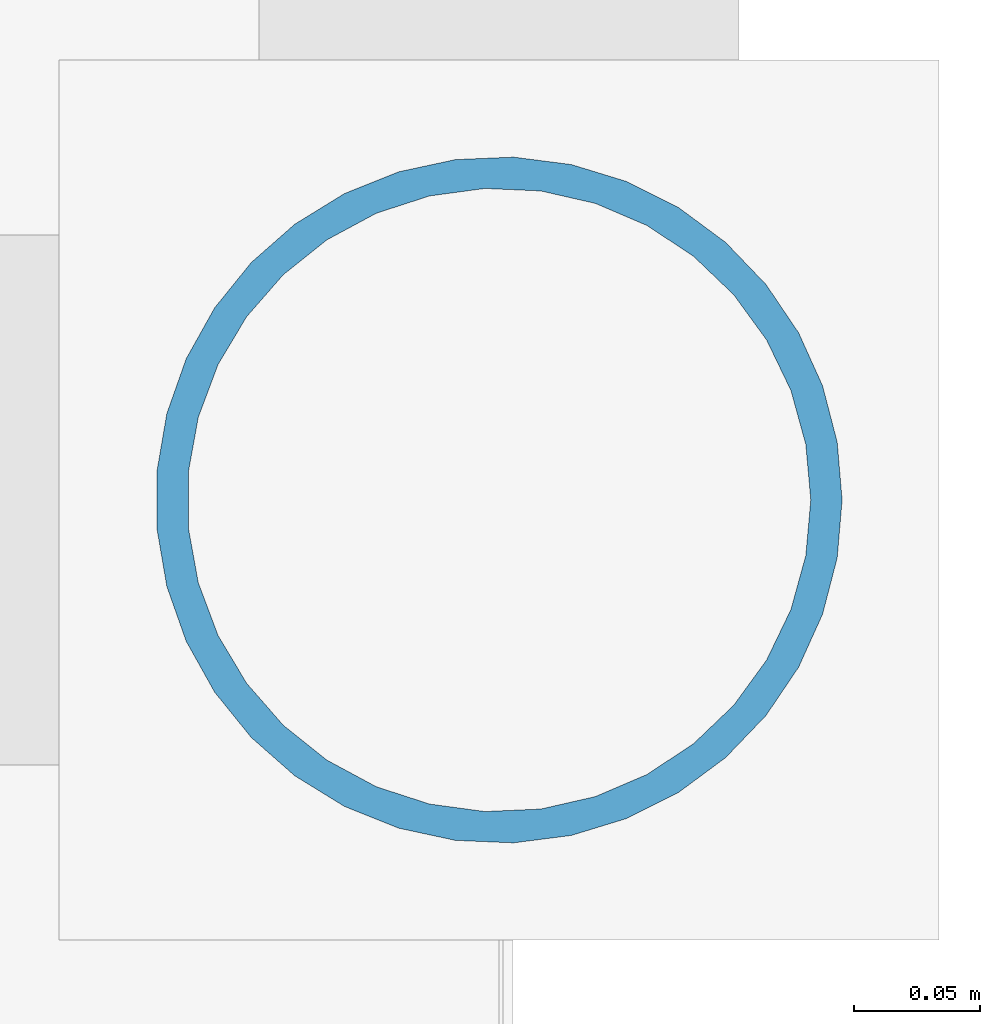
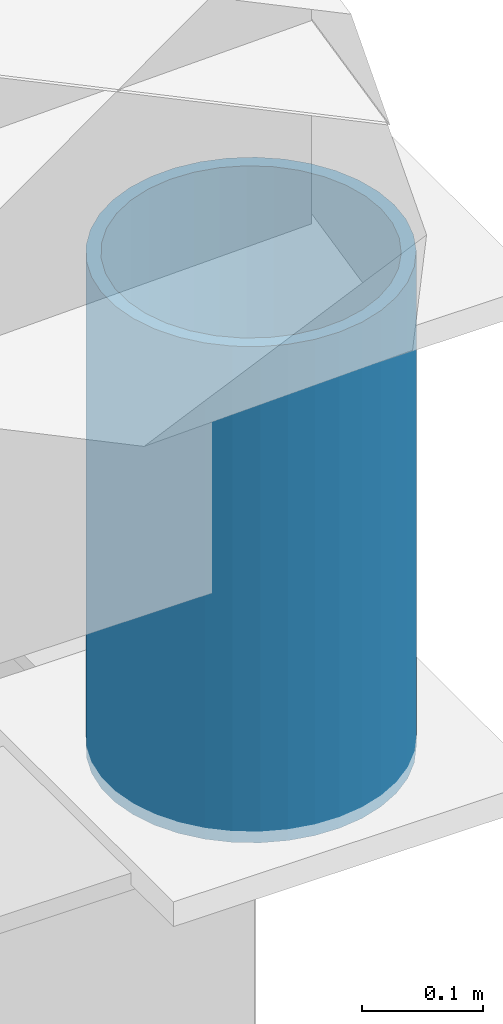
# One storey, part 6 of 50: 1 column.
"""IFC4 building model written with IfcOpenShell, lengths in metres."""

import ifcopenshell
import ifcopenshell.guid

model = None  # the IFC model being written
_history = None  # IfcOwnerHistory: only IFC2X3 demands one
_inside = {}  # id of a spatial element -> (the spatial element, [elements in it])
_under = {}  # id of a project, library or spatial element -> (it, [spatial elements below it])
_declared = {}  # id of a project -> (the project, [libraries it declares])
_typed = {}  # id of a type object -> (the type object, [elements of that type])
_made_of = {}  # id of a material, layer set ... -> (it, [elements and type objects made of it])


def new_model(schema):
    """Start an empty IFC model of exactly this schema.

    Asked for "IFC4X3", IfcOpenShell would pick the latest addendum, in which some entities
    have other attributes; the version numbers below select the first issue.
    IFC2X3 requires an IfcOwnerHistory on every rooted entity: one is made here for all.
    """
    global model, _history
    if schema == "IFC4X3":
        model = ifcopenshell.file(schema_version=(4, 3, 0, 0))
    else:
        model = ifcopenshell.file(schema=schema)
    _inside.clear()
    _under.clear()
    _declared.clear()
    _typed.clear()
    _made_of.clear()
    _history = None
    if model.schema == "IFC2X3":
        org = make("IfcOrganization", Name="unknown")
        user = make(
            "IfcPersonAndOrganization",
            ThePerson=make("IfcPerson", FamilyName="unknown"),
            TheOrganization=org,
        )
        app = make(
            "IfcApplication",
            ApplicationDeveloper=org,
            Version="unknown",
            ApplicationFullName="unknown",
            ApplicationIdentifier="unknown",
        )
        _history = make(
            "IfcOwnerHistory",
            OwningUser=user,
            OwningApplication=app,
            ChangeAction="ADDED",
            CreationDate=0,
        )
    return model


def make(cls, **values):
    """One entity of the class cls with the attributes given. An attribute that is None is left unset."""
    return model.create_entity(
        cls, **{name: value for name, value in values.items() if value is not None}
    )


def rooted(cls, **values):
    """An entity with a GlobalId (a new one), such as an element, a storey or a relation."""
    return make(cls, GlobalId=ifcopenshell.guid.new(), OwnerHistory=_history, **values)


def si_unit(unit_type, name, prefix=None):
    """IfcSIUnit, for example si_unit("LENGTHUNIT", "METRE", prefix="MILLI")."""
    return make("IfcSIUnit", UnitType=unit_type, Prefix=prefix, Name=name)


def assignment(units):
    """IfcUnitAssignment: the units of a project."""
    return None if units is None else make("IfcUnitAssignment", Units=units)


def point(xyz):
    """IfcCartesianPoint."""
    return None if xyz is None else make("IfcCartesianPoint", Coordinates=xyz)


def direction(xyz):
    """IfcDirection."""
    return None if xyz is None else make("IfcDirection", DirectionRatios=xyz)


def frame(location, z_axis=None, x_axis=None):
    """IfcAxis2Placement3D, a coordinate frame: its origin and axes. An axis left out is left unset."""
    return make(
        "IfcAxis2Placement3D",
        Location=point(location),
        Axis=direction(z_axis),
        RefDirection=direction(x_axis),
    )


def frame_2d(location, x_axis=None):
    """IfcAxis2Placement2D, a coordinate frame in the plane: its origin and x axis."""
    return make(
        "IfcAxis2Placement2D", Location=point(location), RefDirection=direction(x_axis)
    )


def origin():
    """The frame at (0, 0, 0) with its axes left unset."""
    return frame((0.0, 0.0, 0.0))


def origin_2d():
    """The frame at (0, 0) in the plane with its x axis left unset."""
    return frame_2d((0.0, 0.0))


def place(relative_to, where):
    """IfcLocalPlacement: puts the frame where relative to a parent placement (None: the world)."""
    return make(
        "IfcLocalPlacement", PlacementRelTo=relative_to, RelativePlacement=where
    )


def context(
    kind, dimensions, precision=None, world=None, true_north=None, identifier=None
):
    """IfcGeometricRepresentationContext, for example the 3D "Model" context."""
    return make(
        "IfcGeometricRepresentationContext",
        ContextIdentifier=identifier,
        ContextType=kind,
        CoordinateSpaceDimension=dimensions,
        Precision=precision,
        WorldCoordinateSystem=world,
        TrueNorth=true_north,
    )


def subcontext(parent, identifier, kind, view, scale=None):
    """IfcGeometricRepresentationSubContext, for example "Body" below "Model"."""
    return make(
        "IfcGeometricRepresentationSubContext",
        ContextIdentifier=identifier,
        ContextType=kind,
        ParentContext=parent,
        TargetScale=scale,
        TargetView=view,
    )


def project(units=None, contexts=None):
    """IfcProject with its units and contexts."""
    return rooted(
        "IfcProject",
        Name="project",
        RepresentationContexts=contexts,
        UnitsInContext=assignment(units),
    )


def spatial(cls, under=None, at=None, **own):
    """A site, building, storey or space (cls), placed at a placement, below another one or the project."""
    s = rooted(cls, ObjectPlacement=at, **own)
    if under is not None:
        _under.setdefault(under.id(), (under, []))[1].append(s)
    return s


def profile(cls, at=None, kind="AREA", **sizes):
    """A parametric profile (cls). Its sizes go by their IFC names, for example OverallWidth=200.0."""
    return make(cls, ProfileType=kind, Position=at, **sizes)


def hollow_circle(**sizes):
    """IfcCircleHollowProfileDef."""
    return profile("IfcCircleHollowProfileDef", **sizes)


def extrude(swept, where, along, depth):
    """IfcExtrudedAreaSolid: the profile swept, set in the frame where, extruded along a direction by depth."""
    return make(
        "IfcExtrudedAreaSolid",
        SweptArea=swept,
        Position=where,
        ExtrudedDirection=direction(along),
        Depth=depth,
    )


def shape(context_of_items, identifier, shape_type, items):
    """IfcShapeRepresentation: the items that make up one representation, for example the "Body"."""
    return make(
        "IfcShapeRepresentation",
        ContextOfItems=context_of_items,
        RepresentationIdentifier=identifier,
        RepresentationType=shape_type,
        Items=items,
    )


def material(Name=None, Category=None):
    """IfcMaterial."""
    return make("IfcMaterial", Name=Name, Category=Category)


def material_profile(
    of_material, cross_section, Name=None, Category=None, Priority=None
):
    """IfcMaterialProfile: a cross section and its material."""
    return make(
        "IfcMaterialProfile",
        Name=Name,
        Material=of_material,
        Profile=cross_section,
        Priority=Priority,
        Category=Category,
    )


def profile_set(profiles, Name=None, composite=None):
    """IfcMaterialProfileSet."""
    return make(
        "IfcMaterialProfileSet",
        Name=Name,
        MaterialProfiles=profiles,
        CompositeProfile=composite,
    )


def made_of(thing, what):
    """Note that an element or type object is made of a material, layer set ...; save() writes the relation."""
    if what is not None:
        _made_of.setdefault(what.id(), (what, []))[1].append(thing)
    return thing


def type_object(cls, material=None, **own):
    """A type object (cls), such as IfcWallType, which elements share."""
    return made_of(rooted(cls, **own), material)


def element(
    cls,
    number,
    at=None,
    inside=None,
    cuts=None,
    type_object=None,
    material=None,
    context=None,
    identifier="Body",
    shape_type=None,
    held_by="IfcProductDefinitionShape",
    body=None,
    shapes=None,
    **own,
):
    """One element of the class cls, such as IfcWall. Its Tag is "e" and its number.

    at: its placement. inside: the storey or other place that contains it. cuts: it is an
    opening in that element (IfcRelVoidsElement). A single representation is given by context,
    identifier, shape_type and body (its items); several are given by shapes. held_by: the class
    of the entity that holds the representations. save() writes the other relations.
    """
    e = rooted(cls, Tag="e%d" % number, ObjectPlacement=at, **own)
    if body is not None:
        shapes = [shape(context, identifier, shape_type, body)]
    if shapes is not None:
        e.Representation = make(held_by, Representations=shapes)
    if inside is not None:
        _inside.setdefault(inside.id(), (inside, []))[1].append(e)
    if cuts is not None:
        rooted(
            "IfcRelVoidsElement", RelatingBuildingElement=cuts, RelatedOpeningElement=e
        )
    if type_object is not None:
        _typed.setdefault(type_object.id(), (type_object, []))[1].append(e)
    return made_of(e, material)


def aggregate(whole, parts):
    """IfcRelAggregates: a whole, such as a stair, and the parts it consists of."""
    return rooted("IfcRelAggregates", RelatingObject=whole, RelatedObjects=parts)


def save(model, path):
    """Write the relations noted so far, then the file.

    IfcRelAggregates (storeys below a building ...), IfcRelContainedInSpatialStructure (elements
    in a storey), IfcRelDefinesByType, IfcRelAssociatesMaterial and IfcRelDeclares: one each for
    every whole, place, type object, material and project.
    """
    for whole, parts in _under.values():
        aggregate(whole, parts)
    for where, things in _inside.values():
        rooted(
            "IfcRelContainedInSpatialStructure",
            RelatedElements=things,
            RelatingStructure=where,
        )
    for kind, things in _typed.values():
        rooted("IfcRelDefinesByType", RelatedObjects=things, RelatingType=kind)
    for what, things in _made_of.values():
        rooted("IfcRelAssociatesMaterial", RelatedObjects=things, RelatingMaterial=what)
    for by, libraries in _declared.values():
        rooted("IfcRelDeclares", RelatingContext=by, RelatedDefinitions=libraries)
    model.write(path)


model = new_model("IFC4")

# Units and contexts
model_context = context("Model", 3, precision=1e-05, world=origin(), true_north=direction((0.0, 1.0)))
body_context = subcontext(model_context, "Body", "Model", "MODEL_VIEW")
ifc_project = project(units=[si_unit("LENGTHUNIT", "METRE"), si_unit("AREAUNIT", "SQUARE_METRE"), si_unit("VOLUMEUNIT", "CUBIC_METRE"), si_unit("PLANEANGLEUNIT", "RADIAN"), si_unit("MASSUNIT", "GRAM", prefix="KILO")], contexts=[model_context])

# Site, building, storey
site_placement = place(None, origin())
site = spatial("IfcSite", under=ifc_project, at=site_placement, CompositionType="ELEMENT")
building_placement = place(site_placement, origin())
building = spatial("IfcBuilding", under=site, at=building_placement, Name="Cinderway Yard Community Centre", CompositionType="ELEMENT")
storey_placement = place(building_placement, frame((0.0, 0.0, 12.89990234375)))
storey = spatial("IfcBuildingStorey", under=building, at=storey_placement, Name="L03", CompositionType="ELEMENT", Elevation=12.89990234375)

# Column
ifc_material = material(Name="Steel S355", Category="steel")
ifc_material_profile = material_profile(ifc_material, hollow_circle(Radius=0.136474609375, WallThickness=0.012451171875, at=origin_2d()), Name="Steel S355")
ifc_profile_set = profile_set([ifc_material_profile], Name="Steel S355")
column_type = type_object("IfcColumnType", Name="STR-POST-CHS273", PredefinedType="PILASTER", material=ifc_profile_set)
column_placement = place(storey_placement, frame((110.39990234375, 6.0, 0.0), z_axis=(0.0, 0.0, 1.0), x_axis=(1.0, 0.0, 0.0)))
element("IfcColumn", 1, at=column_placement, inside=storey, type_object=column_type, Name="V3 roof strut post FOLD3-2", PredefinedType="PILASTER", context=body_context, shape_type="SweptSolid", body=[
    extrude(hollow_circle(Radius=0.136474609375, WallThickness=0.012451171875, at=origin_2d()), origin(), (0.0, 0.0, 1.0), 0.5),
])

save(model, "model.ifc")
